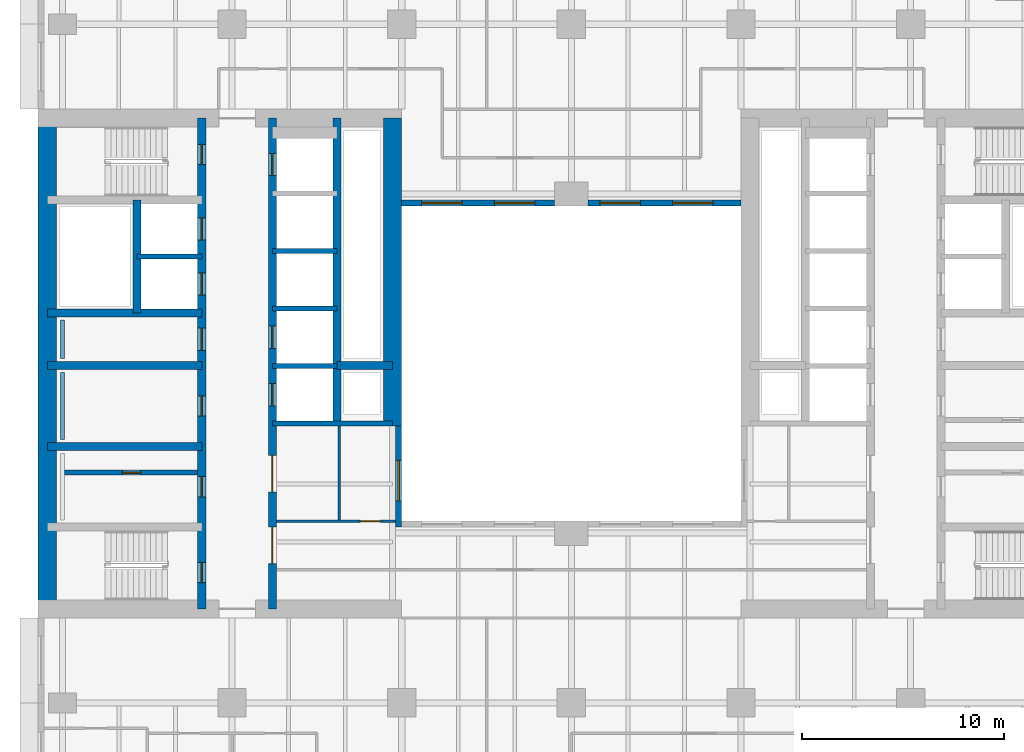
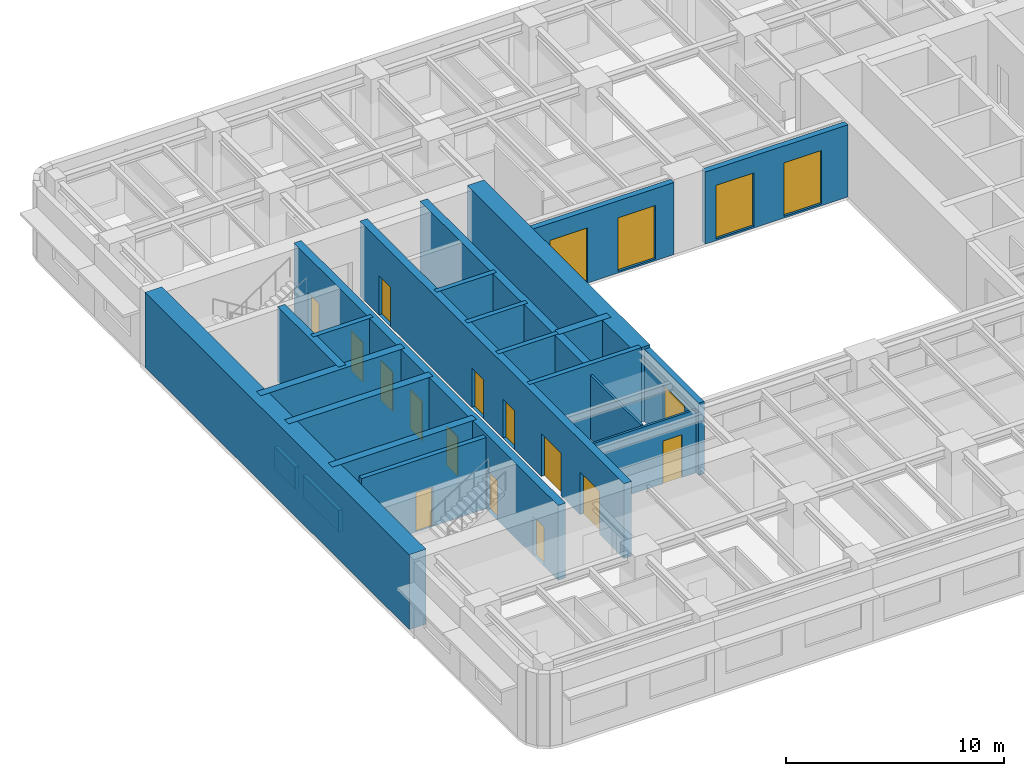
# One storey, part 4 of 11: 23 walls, 14 doors, 5 windows, 19 openings.
"""IFC4 building model written with IfcOpenShell, lengths in metres."""

from ifc_helpers import new_model, si_unit, direction, frame, frame_2d, origin, place, context, subcontext, project, spatial, rectangle, extrude, material, layer, layer_set, type_object, element, fill, save


model = new_model("IFC4")

# Units and contexts
model_context = context("Model", 3, precision=1e-05, world=origin(), true_north=direction((0.0, 1.0)))
body_context = subcontext(model_context, "Body", "Model", "MODEL_VIEW")
ifc_project = project(units=[si_unit("LENGTHUNIT", "METRE"), si_unit("AREAUNIT", "SQUARE_METRE"), si_unit("VOLUMEUNIT", "CUBIC_METRE"), si_unit("PLANEANGLEUNIT", "RADIAN"), si_unit("MASSUNIT", "GRAM", prefix="KILO")], contexts=[model_context])

# Site, building, storey
site_placement = place(None, origin())
site = spatial("IfcSite", under=ifc_project, at=site_placement, CompositionType="ELEMENT")
building_placement = place(site_placement, origin())
building = spatial("IfcBuilding", under=site, at=building_placement, Name="Claustro Exchange Tower", CompositionType="ELEMENT")
storey_placement = place(building_placement, frame((0.0, 0.0, 142.800048828125)))
storey = spatial("IfcBuildingStorey", under=building, at=storey_placement, Name="L32", CompositionType="ELEMENT", Elevation=142.800048828125)

# Wall, opening, door
ifc_material_1 = material(Name="Laminated glass in aluminium frame", Category="aluminium")
ifc_layer_1 = layer(ifc_material_1, 0.1201171875)
ifc_layer_set_1 = layer_set([ifc_layer_1], Name="Laminated glass in aluminium frame")
wall_type_1 = type_object("IfcWallType", Name="P2 120 glazed partition", PredefinedType="PARTITIONING", material=ifc_layer_set_1)
wall_1_placement = place(storey_placement, frame((10.597900390625, 17.39990234375, 0.0), z_axis=(0.0, 0.0, 1.0), x_axis=(1.0, 0.0, 0.0)))
wall_1 = element("IfcWall", 1, at=wall_1_placement, inside=storey, type_object=wall_type_1, Name="Partition P2 L32", PredefinedType="PARTITIONING", context=body_context, shape_type="SweptSolid", body=[
    extrude(rectangle(XDim=5.904052734375, YDim=0.1201171875, at=frame_2d((2.9521484375, 0.0))), origin(), (0.0, 0.0, 1.0), 3.550048828125),
])
opening_1_placement = place(wall_1_placement, frame((4.152099609375, 0.0, 0.0)))
opening_1 = element("IfcOpeningElement", 2, at=opening_1_placement, cuts=wall_1, Name="Opening D7", PredefinedType="OPENING", context=body_context, shape_type="SweptSolid", body=[
    extrude(rectangle(XDim=1.0, YDim=2.39990234375, at=frame_2d((0.5, 1.199951171875))), frame((0.0, 0.070068359375, 0.0), z_axis=(0.0, -1.0, 0.0), x_axis=(1.0, 0.0, 0.0)), (0.0, 0.0, 1.0), 0.14013671875),
])
ifc_material_2 = material(Name="Glass door in aluminium frame", Category="aluminium")
door_type_1 = type_object("IfcDoorType", Name="D7 1000 x 2400 glazed door", OperationType="SINGLE_SWING_LEFT", PredefinedType="DOOR", material=ifc_material_2)
door_1_placement = place(opening_1_placement, origin())
door_1 = element("IfcDoor", 3, at=door_1_placement, inside=storey, type_object=door_type_1, Name="Door D7 L32", OperationType="SINGLE_SWING_RIGHT", OverallHeight=2.39990234375, OverallWidth=1.0, PredefinedType="DOOR", context=body_context, shape_type="SweptSolid", body=[
    extrude(rectangle(XDim=1.0, YDim=2.39990234375, at=frame_2d((0.5, 1.199951171875))), frame((0.0, 0.02490234375, 0.0), z_axis=(0.0, -1.0, 0.0), x_axis=(1.0, 0.0, 0.0)), (0.0, 0.0, 1.0), 0.050048828125),
])
fill(opening_1, door_1)

# Wall
wall_2_placement = place(storey_placement, frame((13.699951171875, 17.4580078125, 0.0), z_axis=(0.0, 0.0, 1.0), x_axis=(0.0, 1.0, 0.0)))
element("IfcWall", 4, at=wall_2_placement, inside=storey, type_object=wall_type_1, Name="Partition P2 L32", PredefinedType="PARTITIONING", context=body_context, shape_type="SweptSolid", body=[
    extrude(rectangle(XDim=4.64404296875, YDim=0.1201171875, at=frame_2d((2.322021484375, 0.0))), origin(), (0.0, 0.0, 1.0), 3.599853515625),
])

# Wall, opening, door
ifc_material_3 = material(Name="Concrete blockwork, rendered", Category="masonry")
ifc_layer_2 = layer(ifc_material_3, 0.25)
ifc_layer_set_2 = layer_set([ifc_layer_2], Name="Concrete blockwork, rendered")
wall_type_2 = type_object("IfcWallType", Name="P4 250 blockwork wall", PredefinedType="PARTITIONING", material=ifc_layer_set_2)
wall_3_placement = place(storey_placement, frame((0.10009765625, 19.800048828125, 0.0), z_axis=(0.0, 0.0, 1.0), x_axis=(1.0, 0.0, 0.0)))
wall_3 = element("IfcWall", 5, at=wall_3_placement, inside=storey, type_object=wall_type_2, Name="Partition P4 L32", PredefinedType="PARTITIONING", context=body_context, shape_type="SweptSolid", body=[
    extrude(rectangle(XDim=6.599853515625, YDim=0.25, at=frame_2d((3.2998046875, 0.0))), origin(), (0.0, 0.0, 1.0), 4.0),
])
opening_2_placement = place(wall_3_placement, frame((2.875, 0.0, 0.0)))
opening_2 = element("IfcOpeningElement", 6, at=opening_2_placement, cuts=wall_3, Name="Opening D5", PredefinedType="OPENING", context=body_context, shape_type="SweptSolid", body=[
    extrude(rectangle(XDim=0.89990234375, YDim=2.199951171875, at=frame_2d((0.449951171875, 1.10009765625))), frame((0.0, 0.135009765625, 0.0), z_axis=(0.0, -1.0, 0.0), x_axis=(1.0, 0.0, 0.0)), (0.0, 0.0, 1.0), 0.27001953125),
])
ifc_material_4 = material(Name="Steel door, painted", Category="steel")
door_type_2 = type_object("IfcDoorType", Name="D5 900 x 2200 store door", OperationType="SINGLE_SWING_LEFT", PredefinedType="DOOR", material=ifc_material_4)
door_2_placement = place(opening_2_placement, origin())
door_2 = element("IfcDoor", 7, at=door_2_placement, inside=storey, type_object=door_type_2, Name="Store door D5 L32", OperationType="SINGLE_SWING_LEFT", OverallHeight=2.199951171875, OverallWidth=0.89990234375, PredefinedType="DOOR", context=body_context, shape_type="SweptSolid", body=[
    extrude(rectangle(XDim=0.89990234375, YDim=2.199951171875, at=frame_2d((0.449951171875, 1.10009765625))), frame((0.0, 0.02490234375, 0.0), z_axis=(0.0, -1.0, 0.0), x_axis=(1.0, 0.0, 0.0)), (0.0, 0.0, 1.0), 0.050048828125),
])
fill(opening_2, door_2)

# Wall, opening, window
ifc_material_5 = material(Name="Concrete HA-40 (C40/50), precast, white cement, acid-etched", Category="concrete")
ifc_layer_3 = layer(ifc_material_5, 0.300048828125)
ifc_layer_set_3 = layer_set([ifc_layer_3], Name="Concrete HA-40 (C40/50), precast, white cement, acid-etched")
wall_type_3 = type_object("IfcWallType", Name="PC1 300 precast concrete pier panel", PredefinedType="SOLIDWALL", material=ifc_layer_set_3)
wall_4_placement = place(storey_placement, frame((16.64990234375, 17.10009765625, 0.0), z_axis=(0.0, 0.0, 1.0), x_axis=(0.0, 1.0, 0.0)))
wall_4 = element("IfcWall", 8, at=wall_4_placement, inside=storey, type_object=wall_type_3, Name="Precast pier panel PC1 L32", PredefinedType="SOLIDWALL", context=body_context, shape_type="SweptSolid", body=[
    extrude(rectangle(XDim=5.0, YDim=0.300048828125, at=frame_2d((2.5, 0.0))), origin(), (0.0, 0.0, 1.0), 4.050048828125),
])
opening_3_placement = place(wall_4_placement, frame((1.300048828125, 0.0, 0.10009765625)))
opening_3 = element("IfcOpeningElement", 9, at=opening_3_placement, cuts=wall_4, Name="Opening W-A", PredefinedType="OPENING", context=body_context, shape_type="SweptSolid", body=[
    extrude(rectangle(XDim=2.0, YDim=3.0, at=frame_2d((1.0, 1.5))), frame((0.0, 0.159912109375, 0.0), z_axis=(0.0, -1.0, 0.0), x_axis=(1.0, 0.0, 0.0)), (0.0, 0.0, 1.0), 0.320068359375),
])
ifc_material_6 = material(Name="Aluminium frame, clear double glazing", Category="aluminium")
window_type = type_object("IfcWindowType", Name="W-A 2000 x 3000 arcade window", PartitioningType="SINGLE_PANEL", PredefinedType="WINDOW", material=ifc_material_6)
window_1_placement = place(opening_3_placement, origin())
window_1 = element("IfcWindow", 10, at=window_1_placement, inside=storey, type_object=window_type, Name="Window W-A L32", OverallHeight=3.0, OverallWidth=2.0, PartitioningType="SINGLE_PANEL", PredefinedType="WINDOW", context=body_context, shape_type="SweptSolid", body=[
    extrude(rectangle(XDim=2.0, YDim=3.0, at=frame_2d((1.0, 1.5))), frame((0.0, 0.030029296875, 0.0), z_axis=(0.0, -1.0, 0.0), x_axis=(1.0, 0.0, 0.0)), (0.0, 0.0, 1.0), 0.06005859375),
])
fill(opening_3, window_1)

# Wall, openings, windows
wall_5_placement = place(storey_placement, frame((16.800048828125, 33.14990234375, 0.0), z_axis=(0.0, 0.0, 1.0), x_axis=(1.0, 0.0, 0.0)))
wall_5 = element("IfcWall", 11, at=wall_5_placement, inside=storey, type_object=wall_type_3, Name="Precast pier panel PC1 L32", PredefinedType="SOLIDWALL", context=body_context, shape_type="SweptSolid", body=[
    extrude(rectangle(XDim=7.574951171875, YDim=0.300048828125, at=frame_2d((3.78759765625, 0.0))), origin(), (0.0, 0.0, 1.0), 4.050048828125),
])
opening_4_placement = place(wall_5_placement, frame((0.987548828125, 0.0, 0.10009765625)))
opening_4 = element("IfcOpeningElement", 12, at=opening_4_placement, cuts=wall_5, Name="Opening W-A", PredefinedType="OPENING", context=body_context, shape_type="SweptSolid", body=[
    extrude(rectangle(XDim=2.0, YDim=3.0, at=frame_2d((1.0, 1.5))), frame((0.0, 0.159912109375, 0.0), z_axis=(0.0, -1.0, 0.0), x_axis=(1.0, 0.0, 0.0)), (0.0, 0.0, 1.0), 0.320068359375),
])
opening_5_placement = place(wall_5_placement, frame((4.58740234375, 0.0, 0.10009765625)))
opening_5 = element("IfcOpeningElement", 13, at=opening_5_placement, cuts=wall_5, Name="Opening W-A", PredefinedType="OPENING", context=body_context, shape_type="SweptSolid", body=[
    extrude(rectangle(XDim=2.0, YDim=3.0, at=frame_2d((1.0, 1.5))), frame((0.0, 0.159912109375, 0.0), z_axis=(0.0, -1.0, 0.0), x_axis=(1.0, 0.0, 0.0)), (0.0, 0.0, 1.0), 0.320068359375),
])
window_2_placement = place(opening_4_placement, origin())
window_2 = element("IfcWindow", 14, at=window_2_placement, inside=storey, type_object=window_type, Name="Window W-A L32", OverallHeight=3.0, OverallWidth=2.0, PartitioningType="SINGLE_PANEL", PredefinedType="WINDOW", context=body_context, shape_type="SweptSolid", body=[
    extrude(rectangle(XDim=2.0, YDim=3.0, at=frame_2d((1.0, 1.5))), frame((0.0, 0.030029296875, 0.0), z_axis=(0.0, -1.0, 0.0), x_axis=(1.0, 0.0, 0.0)), (0.0, 0.0, 1.0), 0.06005859375),
])
fill(opening_4, window_2)
window_3_placement = place(opening_5_placement, origin())
window_3 = element("IfcWindow", 15, at=window_3_placement, inside=storey, type_object=window_type, Name="Window W-A L32", OverallHeight=3.0, OverallWidth=2.0, PartitioningType="SINGLE_PANEL", PredefinedType="WINDOW", context=body_context, shape_type="SweptSolid", body=[
    extrude(rectangle(XDim=2.0, YDim=3.0, at=frame_2d((1.0, 1.5))), frame((0.0, 0.030029296875, 0.0), z_axis=(0.0, -1.0, 0.0), x_axis=(1.0, 0.0, 0.0)), (0.0, 0.0, 1.0), 0.06005859375),
])
fill(opening_5, window_3)

wall_6_placement = place(storey_placement, frame((26.02490234375, 33.14990234375, 0.0), z_axis=(0.0, 0.0, 1.0), x_axis=(1.0, 0.0, 0.0)))
wall_6 = element("IfcWall", 16, at=wall_6_placement, inside=storey, type_object=wall_type_3, Name="Precast pier panel PC1 L32", PredefinedType="SOLIDWALL", context=body_context, shape_type="SweptSolid", body=[
    extrude(rectangle(XDim=7.5751953125, YDim=0.300048828125, at=frame_2d((3.78759765625, 0.0))), origin(), (0.0, 0.0, 1.0), 4.050048828125),
])
opening_6_placement = place(wall_6_placement, frame((0.58740234375, 0.0, 0.10009765625)))
opening_6 = element("IfcOpeningElement", 17, at=opening_6_placement, cuts=wall_6, Name="Opening W-A", PredefinedType="OPENING", context=body_context, shape_type="SweptSolid", body=[
    extrude(rectangle(XDim=2.0, YDim=3.0, at=frame_2d((1.0, 1.5))), frame((0.0, 0.159912109375, 0.0), z_axis=(0.0, -1.0, 0.0), x_axis=(1.0, 0.0, 0.0)), (0.0, 0.0, 1.0), 0.320068359375),
])
opening_7_placement = place(wall_6_placement, frame((4.1875, 0.0, 0.10009765625)))
opening_7 = element("IfcOpeningElement", 18, at=opening_7_placement, cuts=wall_6, Name="Opening W-A", PredefinedType="OPENING", context=body_context, shape_type="SweptSolid", body=[
    extrude(rectangle(XDim=2.0, YDim=3.0, at=frame_2d((1.0, 1.5))), frame((0.0, 0.159912109375, 0.0), z_axis=(0.0, -1.0, 0.0), x_axis=(1.0, 0.0, 0.0)), (0.0, 0.0, 1.0), 0.320068359375),
])
window_4_placement = place(opening_6_placement, origin())
window_4 = element("IfcWindow", 19, at=window_4_placement, inside=storey, type_object=window_type, Name="Window W-A L32", OverallHeight=3.0, OverallWidth=2.0, PartitioningType="SINGLE_PANEL", PredefinedType="WINDOW", context=body_context, shape_type="SweptSolid", body=[
    extrude(rectangle(XDim=2.0, YDim=3.0, at=frame_2d((1.0, 1.5))), frame((0.0, 0.030029296875, 0.0), z_axis=(0.0, -1.0, 0.0), x_axis=(1.0, 0.0, 0.0)), (0.0, 0.0, 1.0), 0.06005859375),
])
fill(opening_6, window_4)
window_5_placement = place(opening_7_placement, origin())
window_5 = element("IfcWindow", 20, at=window_5_placement, inside=storey, type_object=window_type, Name="Window W-A L32", OverallHeight=3.0, OverallWidth=2.0, PartitioningType="SINGLE_PANEL", PredefinedType="WINDOW", context=body_context, shape_type="SweptSolid", body=[
    extrude(rectangle(XDim=2.0, YDim=3.0, at=frame_2d((1.0, 1.5))), frame((0.0, 0.030029296875, 0.0), z_axis=(0.0, -1.0, 0.0), x_axis=(1.0, 0.0, 0.0)), (0.0, 0.0, 1.0), 0.06005859375),
])
fill(opening_7, window_5)

# Walls
ifc_material_7 = material(Name="Gypsum board on steel studs, tiled", Category="steel")
ifc_layer_4 = layer(ifc_material_7, 0.199951171875)
ifc_layer_set_4 = layer_set([ifc_layer_4], Name="Gypsum board on steel studs, tiled")
wall_type_4 = type_object("IfcWallType", Name="PW1 200 WC duct wall", PredefinedType="PLUMBINGWALL", material=ifc_layer_set_4)
wall_7_placement = place(storey_placement, frame((0.0, 21.449951171875, 0.0), z_axis=(0.0, 0.0, 1.0), x_axis=(0.0, 1.0, 0.0)))
element("IfcWall", 21, at=wall_7_placement, inside=storey, type_object=wall_type_4, Name="WC duct wall PW1 L32", PredefinedType="PLUMBINGWALL", context=body_context, shape_type="SweptSolid", body=[
    extrude(rectangle(XDim=3.300048828125, YDim=0.199951171875, at=frame_2d((1.64990234375, 0.0))), origin(), (0.0, 0.0, 1.0), 1.199951171875),
])
wall_8_placement = place(storey_placement, frame((0.0, 25.449951171875, 0.0), z_axis=(0.0, 0.0, 1.0), x_axis=(0.0, 1.0, 0.0)))
element("IfcWall", 22, at=wall_8_placement, inside=storey, type_object=wall_type_4, Name="WC duct wall PW1 L32", PredefinedType="PLUMBINGWALL", context=body_context, shape_type="SweptSolid", body=[
    extrude(rectangle(XDim=1.900146484375, YDim=0.199951171875, at=frame_2d((0.9501953125, 0.0))), origin(), (0.0, 0.0, 1.0), 1.199951171875),
])
ifc_material_8 = material(Name="Concrete HA-70 (C70/85)", Category="concrete")
ifc_layer_5 = layer(ifc_material_8, 0.89990234375)
ifc_layer_set_5 = layer_set([ifc_layer_5], Name="Concrete HA-70 (C70/85)")
wall_type_5 = type_object("IfcWallType", Name="SW1X 900 exposed core shear wall, board-marked face", PredefinedType="SHEAR", material=ifc_layer_set_5)
wall_9_placement = place(storey_placement, frame((-0.75, 13.050048828125, 0.0), z_axis=(0.0, 0.0, 1.0), x_axis=(0.0, 1.0, 0.0)))
element("IfcWall", 23, at=wall_9_placement, inside=storey, type_object=wall_type_5, Name="Core wall SW1X W core W face L32", PredefinedType="SHEAR", context=body_context, shape_type="SweptSolid", body=[
    extrude(rectangle(XDim=24.300048828125, YDim=0.89990234375, at=frame_2d((12.14990234375, 0.0))), origin(), (0.0, 0.0, 1.0), 4.199951171875),
])
wall_10_placement = place(storey_placement, frame((16.35009765625, 22.10009765625, 0.0), z_axis=(0.0, 0.0, 1.0), x_axis=(0.0, 1.0, 0.0)))
element("IfcWall", 24, at=wall_10_placement, inside=storey, type_object=wall_type_5, Name="Core wall SW1X W core E face L32", PredefinedType="SHEAR", context=body_context, shape_type="SweptSolid", body=[
    extrude(rectangle(XDim=15.25, YDim=0.89990234375, at=frame_2d((7.625, 0.0))), origin(), (0.0, 0.0, 1.0), 4.199951171875),
])

# Wall, openings, doors
ifc_material_9 = material(Name="Concrete HA-50 (C50/60)", Category="concrete")
ifc_layer_6 = layer(ifc_material_9, 0.39990234375)
ifc_layer_set_6 = layer_set([ifc_layer_6], Name="Concrete HA-50 (C50/60)")
wall_type_6 = type_object("IfcWallType", Name="SW4 400 internal core wall", PredefinedType="SHEAR", material=ifc_layer_set_6)
wall_11_placement = place(storey_placement, frame((6.89990234375, 13.050048828125, 0.0), z_axis=(0.0, 0.0, 1.0), x_axis=(0.0, 1.0, 0.0)))
wall_11 = element("IfcWall", 25, at=wall_11_placement, inside=storey, type_object=wall_type_6, Name="Internal core wall SW4 W core L32", PredefinedType="SHEAR", context=body_context, shape_type="SweptSolid", body=[
    extrude(rectangle(XDim=24.300048828125, YDim=0.39990234375, at=frame_2d((12.14990234375, 0.0))), origin(), (0.0, 0.0, 1.0), 4.199951171875),
])
opening_8_placement = place(wall_11_placement, frame((1.300048828125, 0.0, 0.0)))
opening_8 = element("IfcOpeningElement", 26, at=opening_8_placement, cuts=wall_11, Name="Opening D4", PredefinedType="OPENING", context=body_context, shape_type="SweptSolid", body=[
    extrude(rectangle(XDim=1.0, YDim=2.199951171875, at=frame_2d((0.5, 1.10009765625))), frame((0.0, 0.2099609375, 0.0), z_axis=(0.0, -1.0, 0.0), x_axis=(1.0, 0.0, 0.0)), (0.0, 0.0, 1.0), 0.419921875),
])
opening_9_placement = place(wall_11_placement, frame((22.0, 0.0, 0.0)))
opening_9 = element("IfcOpeningElement", 27, at=opening_9_placement, cuts=wall_11, Name="Opening D4", PredefinedType="OPENING", context=body_context, shape_type="SweptSolid", body=[
    extrude(rectangle(XDim=1.0, YDim=2.199951171875, at=frame_2d((0.5, 1.10009765625))), frame((0.0, 0.2099609375, 0.0), z_axis=(0.0, -1.0, 0.0), x_axis=(1.0, 0.0, 0.0)), (0.0, 0.0, 1.0), 0.419921875),
])
opening_10_placement = place(wall_11_placement, frame((5.550048828125, 0.0, 0.0)))
opening_10 = element("IfcOpeningElement", 28, at=opening_10_placement, cuts=wall_11, Name="Opening D1", PredefinedType="OPENING", context=body_context, shape_type="SweptSolid", body=[
    extrude(rectangle(XDim=1.0, YDim=2.199951171875, at=frame_2d((0.5, 1.10009765625))), frame((0.0, 0.2099609375, 0.0), z_axis=(0.0, -1.0, 0.0), x_axis=(1.0, 0.0, 0.0)), (0.0, 0.0, 1.0), 0.419921875),
])
opening_11_placement = place(wall_11_placement, frame((9.550048828125, 0.0, 0.0)))
opening_11 = element("IfcOpeningElement", 29, at=opening_11_placement, cuts=wall_11, Name="Opening D1", PredefinedType="OPENING", context=body_context, shape_type="SweptSolid", body=[
    extrude(rectangle(XDim=1.0, YDim=2.199951171875, at=frame_2d((0.5, 1.10009765625))), frame((0.0, 0.2099609375, 0.0), z_axis=(0.0, -1.0, 0.0), x_axis=(1.0, 0.0, 0.0)), (0.0, 0.0, 1.0), 0.419921875),
])
opening_12_placement = place(wall_11_placement, frame((12.800048828125, 0.0, 0.0)))
opening_12 = element("IfcOpeningElement", 30, at=opening_12_placement, cuts=wall_11, Name="Opening D10", PredefinedType="OPENING", context=body_context, shape_type="SweptSolid", body=[
    extrude(rectangle(XDim=1.10009765625, YDim=2.199951171875, at=frame_2d((0.550048828125, 1.10009765625))), frame((0.0, 0.2099609375, 0.0), z_axis=(0.0, -1.0, 0.0), x_axis=(1.0, 0.0, 0.0)), (0.0, 0.0, 1.0), 0.419921875),
])
opening_13_placement = place(wall_11_placement, frame((15.53759765625, 0.0, 0.0)))
opening_13 = element("IfcOpeningElement", 31, at=opening_13_placement, cuts=wall_11, Name="Opening LD", PredefinedType="OPENING", context=body_context, shape_type="SweptSolid", body=[
    extrude(rectangle(XDim=1.10009765625, YDim=2.199951171875, at=frame_2d((0.550048828125, 1.10009765625))), frame((0.0, 0.2099609375, 0.0), z_axis=(0.0, -1.0, 0.0), x_axis=(1.0, 0.0, 0.0)), (0.0, 0.0, 1.0), 0.419921875),
])
opening_14_placement = place(wall_11_placement, frame((18.262451171875, 0.0, 0.0)))
opening_14 = element("IfcOpeningElement", 32, at=opening_14_placement, cuts=wall_11, Name="Opening LD", PredefinedType="OPENING", context=body_context, shape_type="SweptSolid", body=[
    extrude(rectangle(XDim=1.10009765625, YDim=2.199951171875, at=frame_2d((0.550048828125, 1.10009765625))), frame((0.0, 0.2099609375, 0.0), z_axis=(0.0, -1.0, 0.0), x_axis=(1.0, 0.0, 0.0)), (0.0, 0.0, 1.0), 0.419921875),
])
ifc_material_10 = material(Name="Timber door, oak veneer", Category="wood")
door_type_3 = type_object("IfcDoorType", Name="D1 1000 x 2200 single door", OperationType="SINGLE_SWING_LEFT", PredefinedType="DOOR", material=ifc_material_10)
door_3_placement = place(opening_10_placement, origin())
door_3 = element("IfcDoor", 33, at=door_3_placement, inside=storey, type_object=door_type_3, Name="Door D1 L32", OperationType="SINGLE_SWING_RIGHT", OverallHeight=2.199951171875, OverallWidth=1.0, PredefinedType="DOOR", context=body_context, shape_type="SweptSolid", body=[
    extrude(rectangle(XDim=1.0, YDim=2.199951171875, at=frame_2d((0.5, 1.10009765625))), frame((0.0, 0.02490234375, 0.0), z_axis=(0.0, -1.0, 0.0), x_axis=(1.0, 0.0, 0.0)), (0.0, 0.0, 1.0), 0.050048828125),
])
fill(opening_10, door_3)
door_4_placement = place(opening_11_placement, origin())
door_4 = element("IfcDoor", 34, at=door_4_placement, inside=storey, type_object=door_type_3, Name="Door D1 L32", OperationType="SINGLE_SWING_RIGHT", OverallHeight=2.199951171875, OverallWidth=1.0, PredefinedType="DOOR", context=body_context, shape_type="SweptSolid", body=[
    extrude(rectangle(XDim=1.0, YDim=2.199951171875, at=frame_2d((0.5, 1.10009765625))), frame((0.0, 0.02490234375, 0.0), z_axis=(0.0, -1.0, 0.0), x_axis=(1.0, 0.0, 0.0)), (0.0, 0.0, 1.0), 0.050048828125),
])
fill(opening_11, door_4)
ifc_material_11 = material(Name="Timber door, oak veneer", Category="wood")
door_type_4 = type_object("IfcDoorType", Name="D10 1100 x 2200 accessible WC door", OperationType="SINGLE_SWING_LEFT", PredefinedType="DOOR", material=ifc_material_11)
door_5_placement = place(opening_12_placement, frame((1.10009765625, 0.0, 0.0), z_axis=(0.0, 0.0, 1.0), x_axis=(-1.0, 0.0, 0.0)))
door_5 = element("IfcDoor", 35, at=door_5_placement, inside=storey, type_object=door_type_4, Name="Accessible WC door D10 L32", OperationType="SINGLE_SWING_LEFT", OverallHeight=2.199951171875, OverallWidth=1.10009765625, PredefinedType="DOOR", context=body_context, shape_type="SweptSolid", body=[
    extrude(rectangle(XDim=1.10009765625, YDim=2.199951171875, at=frame_2d((0.550048828125, 1.10009765625))), frame((0.0, 0.02490234375, 0.0), z_axis=(0.0, -1.0, 0.0), x_axis=(1.0, 0.0, 0.0)), (0.0, 0.0, 1.0), 0.050048828125),
])
fill(opening_12, door_5)
ifc_material_12 = material(Name="Steel fire door, painted", Category="steel")
door_type_5 = type_object("IfcDoorType", Name="D4 1000 x 2200 fire-rated stair door", OperationType="SINGLE_SWING_LEFT", PredefinedType="DOOR", material=ifc_material_12)
door_6_placement = place(opening_8_placement, origin())
door_6 = element("IfcDoor", 36, at=door_6_placement, inside=storey, type_object=door_type_5, Name="Stair door D4 L32", OperationType="SINGLE_SWING_LEFT", OverallHeight=2.199951171875, OverallWidth=1.0, PredefinedType="DOOR", context=body_context, shape_type="SweptSolid", body=[
    extrude(rectangle(XDim=1.0, YDim=2.199951171875, at=frame_2d((0.5, 1.10009765625))), frame((0.0, 0.02490234375, 0.0), z_axis=(0.0, -1.0, 0.0), x_axis=(1.0, 0.0, 0.0)), (0.0, 0.0, 1.0), 0.050048828125),
])
fill(opening_8, door_6)
door_7_placement = place(opening_9_placement, origin())
door_7 = element("IfcDoor", 37, at=door_7_placement, inside=storey, type_object=door_type_5, Name="Stair door D4 L32", OperationType="SINGLE_SWING_RIGHT", OverallHeight=2.199951171875, OverallWidth=1.0, PredefinedType="DOOR", context=body_context, shape_type="SweptSolid", body=[
    extrude(rectangle(XDim=1.0, YDim=2.199951171875, at=frame_2d((0.5, 1.10009765625))), frame((0.0, 0.02490234375, 0.0), z_axis=(0.0, -1.0, 0.0), x_axis=(1.0, 0.0, 0.0)), (0.0, 0.0, 1.0), 0.050048828125),
])
fill(opening_9, door_7)
ifc_material_13 = material(Name="Stainless steel sliding door", Category="steel")
door_type_6 = type_object("IfcDoorType", Name="LD 1100 x 2200 lift landing door", OperationType="DOUBLE_DOOR_SLIDING", PredefinedType="DOOR", material=ifc_material_13)
door_8_placement = place(opening_13_placement, origin())
door_8 = element("IfcDoor", 38, at=door_8_placement, inside=storey, type_object=door_type_6, Name="Lift landing door LEW1 LD L32", OperationType="DOUBLE_DOOR_SLIDING", OverallHeight=2.199951171875, OverallWidth=1.10009765625, PredefinedType="DOOR", context=body_context, shape_type="SweptSolid", body=[
    extrude(rectangle(XDim=1.10009765625, YDim=2.199951171875, at=frame_2d((0.550048828125, 1.10009765625))), frame((0.0, 0.02490234375, 0.0), z_axis=(0.0, -1.0, 0.0), x_axis=(1.0, 0.0, 0.0)), (0.0, 0.0, 1.0), 0.050048828125),
])
fill(opening_13, door_8)
door_9_placement = place(opening_14_placement, origin())
door_9 = element("IfcDoor", 39, at=door_9_placement, inside=storey, type_object=door_type_6, Name="Lift landing door LEW2 LD L32", OperationType="DOUBLE_DOOR_SLIDING", OverallHeight=2.199951171875, OverallWidth=1.10009765625, PredefinedType="DOOR", context=body_context, shape_type="SweptSolid", body=[
    extrude(rectangle(XDim=1.10009765625, YDim=2.199951171875, at=frame_2d((0.550048828125, 1.10009765625))), frame((0.0, 0.02490234375, 0.0), z_axis=(0.0, -1.0, 0.0), x_axis=(1.0, 0.0, 0.0)), (0.0, 0.0, 1.0), 0.050048828125),
])
fill(opening_14, door_9)

wall_12_placement = place(storey_placement, frame((10.39990234375, 13.050048828125, 0.0), z_axis=(0.0, 0.0, 1.0), x_axis=(0.0, 1.0, 0.0)))
wall_12 = element("IfcWall", 40, at=wall_12_placement, inside=storey, type_object=wall_type_6, Name="Internal core wall SW4 W core L32", PredefinedType="SHEAR", context=body_context, shape_type="SweptSolid", body=[
    extrude(rectangle(XDim=24.300048828125, YDim=0.39990234375, at=frame_2d((12.14990234375, 0.0))), origin(), (0.0, 0.0, 1.0), 4.199951171875),
])
opening_15_placement = place(wall_12_placement, frame((10.050048828125, 0.0, 0.0)))
opening_15 = element("IfcOpeningElement", 41, at=opening_15_placement, cuts=wall_12, Name="Opening LD", PredefinedType="OPENING", context=body_context, shape_type="SweptSolid", body=[
    extrude(rectangle(XDim=1.10009765625, YDim=2.199951171875, at=frame_2d((0.550048828125, 1.10009765625))), frame((0.0, 0.2099609375, 0.0), z_axis=(0.0, -1.0, 0.0), x_axis=(1.0, 0.0, 0.0)), (0.0, 0.0, 1.0), 0.419921875),
])
opening_16_placement = place(wall_12_placement, frame((12.89990234375, 0.0, 0.0)))
opening_16 = element("IfcOpeningElement", 42, at=opening_16_placement, cuts=wall_12, Name="Opening LD", PredefinedType="OPENING", context=body_context, shape_type="SweptSolid", body=[
    extrude(rectangle(XDim=1.10009765625, YDim=2.199951171875, at=frame_2d((0.550048828125, 1.10009765625))), frame((0.0, 0.2099609375, 0.0), z_axis=(0.0, -1.0, 0.0), x_axis=(1.0, 0.0, 0.0)), (0.0, 0.0, 1.0), 0.419921875),
])
opening_17_placement = place(wall_12_placement, frame((21.449951171875, 0.0, 0.0)))
opening_17 = element("IfcOpeningElement", 43, at=opening_17_placement, cuts=wall_12, Name="Opening LD", PredefinedType="OPENING", context=body_context, shape_type="SweptSolid", body=[
    extrude(rectangle(XDim=1.10009765625, YDim=2.199951171875, at=frame_2d((0.550048828125, 1.10009765625))), frame((0.0, 0.2099609375, 0.0), z_axis=(0.0, -1.0, 0.0), x_axis=(1.0, 0.0, 0.0)), (0.0, 0.0, 1.0), 0.419921875),
])
opening_18_placement = place(wall_12_placement, frame((2.25, 0.0, 0.0)))
opening_18 = element("IfcOpeningElement", 44, at=opening_18_placement, cuts=wall_12, Name="Opening D3", PredefinedType="OPENING", context=body_context, shape_type="SweptSolid", body=[
    extrude(rectangle(XDim=1.800048828125, YDim=2.39990234375, at=frame_2d((0.89990234375, 1.199951171875))), frame((0.0, 0.2099609375, 0.0), z_axis=(0.0, -1.0, 0.0), x_axis=(1.0, 0.0, 0.0)), (0.0, 0.0, 1.0), 0.419921875),
])
opening_19_placement = place(wall_12_placement, frame((5.800048828125, 0.0, 0.0)))
opening_19 = element("IfcOpeningElement", 45, at=opening_19_placement, cuts=wall_12, Name="Opening D3", PredefinedType="OPENING", context=body_context, shape_type="SweptSolid", body=[
    extrude(rectangle(XDim=1.800048828125, YDim=2.39990234375, at=frame_2d((0.89990234375, 1.199951171875))), frame((0.0, 0.2099609375, 0.0), z_axis=(0.0, -1.0, 0.0), x_axis=(1.0, 0.0, 0.0)), (0.0, 0.0, 1.0), 0.419921875),
])
ifc_material_14 = material(Name="Steel fire door, painted", Category="steel")
door_type_7 = type_object("IfcDoorType", Name="D3 1800 x 2400 fire-rated lobby double door", OperationType="DOUBLE_DOOR_SINGLE_SWING", PredefinedType="DOOR", material=ifc_material_14)
door_10_placement = place(opening_18_placement, origin())
door_10 = element("IfcDoor", 46, at=door_10_placement, inside=storey, type_object=door_type_7, Name="Core zone door D3 L32", OperationType="DOUBLE_DOOR_SINGLE_SWING", OverallHeight=2.39990234375, OverallWidth=1.800048828125, PredefinedType="DOOR", context=body_context, shape_type="SweptSolid", body=[
    extrude(rectangle(XDim=1.800048828125, YDim=2.39990234375, at=frame_2d((0.89990234375, 1.199951171875))), frame((0.0, 0.02490234375, 0.0), z_axis=(0.0, -1.0, 0.0), x_axis=(1.0, 0.0, 0.0)), (0.0, 0.0, 1.0), 0.050048828125),
])
fill(opening_18, door_10)
door_11_placement = place(opening_19_placement, frame((1.800048828125, 0.0, 0.0), z_axis=(0.0, 0.0, 1.0), x_axis=(-1.0, 0.0, 0.0)))
door_11 = element("IfcDoor", 47, at=door_11_placement, inside=storey, type_object=door_type_7, Name="Core zone door D3 L32", OperationType="DOUBLE_DOOR_SINGLE_SWING", OverallHeight=2.39990234375, OverallWidth=1.800048828125, PredefinedType="DOOR", context=body_context, shape_type="SweptSolid", body=[
    extrude(rectangle(XDim=1.800048828125, YDim=2.39990234375, at=frame_2d((0.89990234375, 1.199951171875))), frame((0.0, 0.02490234375, 0.0), z_axis=(0.0, -1.0, 0.0), x_axis=(1.0, 0.0, 0.0)), (0.0, 0.0, 1.0), 0.050048828125),
])
fill(opening_19, door_11)
door_12_placement = place(opening_15_placement, origin())
door_12 = element("IfcDoor", 48, at=door_12_placement, inside=storey, type_object=door_type_6, Name="Lift landing door LMW1 LD L32", OperationType="DOUBLE_DOOR_SLIDING", OverallHeight=2.199951171875, OverallWidth=1.10009765625, PredefinedType="DOOR", context=body_context, shape_type="SweptSolid", body=[
    extrude(rectangle(XDim=1.10009765625, YDim=2.199951171875, at=frame_2d((0.550048828125, 1.10009765625))), frame((0.0, 0.02490234375, 0.0), z_axis=(0.0, -1.0, 0.0), x_axis=(1.0, 0.0, 0.0)), (0.0, 0.0, 1.0), 0.050048828125),
])
fill(opening_15, door_12)
door_13_placement = place(opening_16_placement, origin())
door_13 = element("IfcDoor", 49, at=door_13_placement, inside=storey, type_object=door_type_6, Name="Lift landing door LMW2 LD L32", OperationType="DOUBLE_DOOR_SLIDING", OverallHeight=2.199951171875, OverallWidth=1.10009765625, PredefinedType="DOOR", context=body_context, shape_type="SweptSolid", body=[
    extrude(rectangle(XDim=1.10009765625, YDim=2.199951171875, at=frame_2d((0.550048828125, 1.10009765625))), frame((0.0, 0.02490234375, 0.0), z_axis=(0.0, -1.0, 0.0), x_axis=(1.0, 0.0, 0.0)), (0.0, 0.0, 1.0), 0.050048828125),
])
fill(opening_16, door_13)
door_14_placement = place(opening_17_placement, origin())
door_14 = element("IfcDoor", 50, at=door_14_placement, inside=storey, type_object=door_type_6, Name="Lift landing door LSW1 LD L32", OperationType="DOUBLE_DOOR_SLIDING", OverallHeight=2.199951171875, OverallWidth=1.10009765625, PredefinedType="DOOR", context=body_context, shape_type="SweptSolid", body=[
    extrude(rectangle(XDim=1.10009765625, YDim=2.199951171875, at=frame_2d((0.550048828125, 1.10009765625))), frame((0.0, 0.02490234375, 0.0), z_axis=(0.0, -1.0, 0.0), x_axis=(1.0, 0.0, 0.0)), (0.0, 0.0, 1.0), 0.050048828125),
])
fill(opening_17, door_14)

# Walls
wall_13_placement = place(storey_placement, frame((13.60009765625, 22.22509765625, 0.0), z_axis=(0.0, 0.0, 1.0), x_axis=(0.0, 1.0, 0.0)))
element("IfcWall", 51, at=wall_13_placement, inside=storey, type_object=wall_type_6, Name="Internal core wall SW4 W core L32", PredefinedType="SHEAR", context=body_context, shape_type="SweptSolid", body=[
    extrude(rectangle(XDim=15.125, YDim=0.39990234375, at=frame_2d((7.5625, 0.0))), origin(), (0.0, 0.0, 1.0), 4.199951171875),
])
for number, where, z_axis, x_axis, name in (
    (52, (-0.75, 21.10009765625, 0.0), (0.0, 0.0, 1.0), (1.0, 0.0, 0.0), "Internal core wall SW4 W core L32"),
    (53, (-0.75, 25.10009765625, 0.0), (0.0, 0.0, 1.0), (1.0, 0.0, 0.0), "Internal core wall SW4 W core L32"),
    (54, (-0.75, 27.699951171875, 0.0), (0.0, 0.0, 1.0), (1.0, 0.0, 0.0), "Internal core wall SW4 W core L32"),
):
    element("IfcWall", number, at=place(storey_placement, frame(where, z_axis=z_axis, x_axis=x_axis)), inside=storey, type_object=wall_type_6, Name=name, PredefinedType="SHEAR", context=body_context, shape_type="SweptSolid", body=[
        extrude(rectangle(XDim=7.64990234375, YDim=0.39990234375, at=frame_2d((3.824951171875, 0.0))), origin(), (0.0, 0.0, 1.0), 4.199951171875),
    ])
wall_14_placement = place(storey_placement, frame((3.699951171875, 27.699951171875, 0.0), z_axis=(0.0, 0.0, 1.0), x_axis=(0.0, 1.0, 0.0)))
element("IfcWall", 55, at=wall_14_placement, inside=storey, type_object=wall_type_6, Name="Internal core wall SW4 W core L32", PredefinedType="SHEAR", context=body_context, shape_type="SweptSolid", body=[
    extrude(rectangle(XDim=5.60009765625, YDim=0.39990234375, at=frame_2d((2.800048828125, 0.0))), origin(), (0.0, 0.0, 1.0), 4.199951171875),
])
wall_15_placement = place(storey_placement, frame((13.60009765625, 25.10009765625, 0.0), z_axis=(0.0, 0.0, 1.0), x_axis=(1.0, 0.0, 0.0)))
element("IfcWall", 56, at=wall_15_placement, inside=storey, type_object=wall_type_6, Name="Internal core wall SW4 W core L32", PredefinedType="SHEAR", context=body_context, shape_type="SweptSolid", body=[
    extrude(rectangle(XDim=2.75, YDim=0.39990234375, at=frame_2d((1.375, 0.0))), origin(), (0.0, 0.0, 1.0), 4.199951171875),
])
ifc_material_15 = material(Name="Concrete HA-50 (C50/60)", Category="concrete")
ifc_layer_7 = layer(ifc_material_15, 0.25)
ifc_layer_set_7 = layer_set([ifc_layer_7], Name="Concrete HA-50 (C50/60)")
wall_type_7 = type_object("IfcWallType", Name="SW5 250 lift shaft divider wall", PredefinedType="SHEAR", material=ifc_layer_set_7)
wall_16_placement = place(storey_placement, frame((3.699951171875, 30.5, 0.0), z_axis=(0.0, 0.0, 1.0), x_axis=(1.0, 0.0, 0.0)))
element("IfcWall", 57, at=wall_16_placement, inside=storey, type_object=wall_type_7, Name="Lift shaft wall W core L32", PredefinedType="SHEAR", context=body_context, shape_type="SweptSolid", body=[
    extrude(rectangle(XDim=3.199951171875, YDim=0.25, at=frame_2d((1.60009765625, 0.0))), origin(), (0.0, 0.0, 1.0), 4.199951171875),
])
wall_17_placement = place(storey_placement, frame((10.39990234375, 22.22509765625, 0.0), z_axis=(0.0, 0.0, 1.0), x_axis=(1.0, 0.0, 0.0)))
element("IfcWall", 58, at=wall_17_placement, inside=storey, type_object=wall_type_7, Name="Core step wall W core L32", PredefinedType="SHEAR", context=body_context, shape_type="SweptSolid", body=[
    extrude(rectangle(XDim=5.9501953125, YDim=0.25, at=frame_2d((2.97509765625, 0.0))), origin(), (0.0, 0.0, 1.0), 4.199951171875),
])
for number, where, z_axis, x_axis, name in (
    (59, (10.39990234375, 25.074951171875, 0.0), (0.0, 0.0, 1.0), (1.0, 0.0, 0.0), "Lift shaft wall W core L32"),
    (60, (10.39990234375, 27.925048828125, 0.0), (0.0, 0.0, 1.0), (1.0, 0.0, 0.0), "Lift shaft wall W core L32"),
    (61, (10.39990234375, 30.77490234375, 0.0), (0.0, 0.0, 1.0), (1.0, 0.0, 0.0), "Lift shaft wall W core L32"),
):
    element("IfcWall", number, at=place(storey_placement, frame(where, z_axis=z_axis, x_axis=x_axis)), inside=storey, type_object=wall_type_7, Name=name, PredefinedType="SHEAR", context=body_context, shape_type="SweptSolid", body=[
        extrude(rectangle(XDim=3.2001953125, YDim=0.25, at=frame_2d((1.60009765625, 0.0))), origin(), (0.0, 0.0, 1.0), 4.199951171875),
    ])

save(model, "model.ifc")
